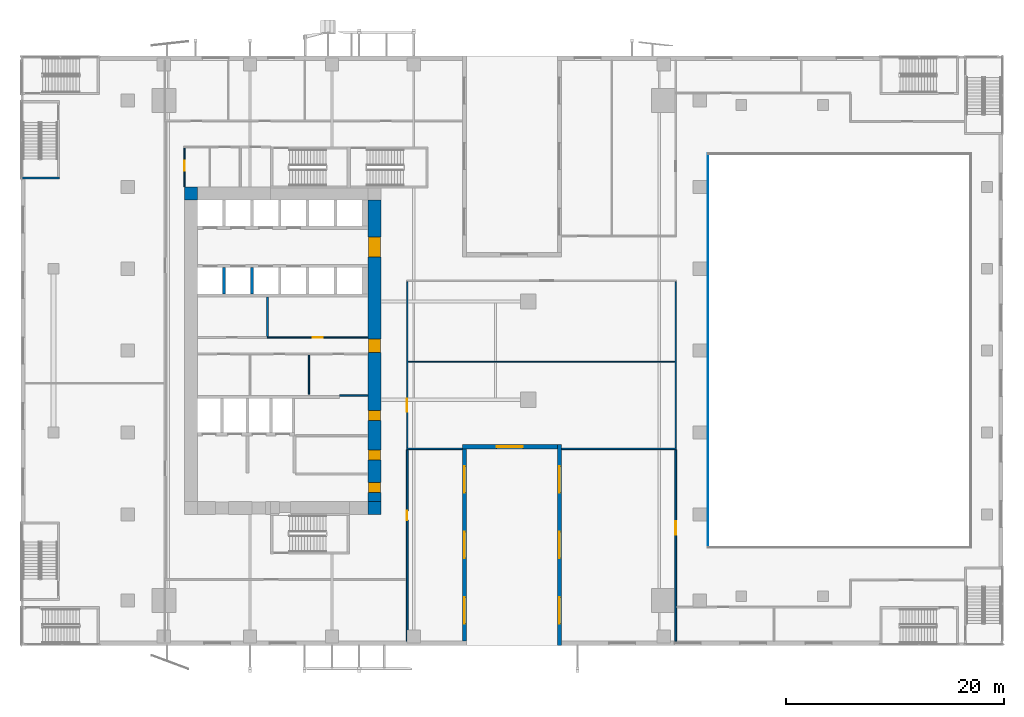
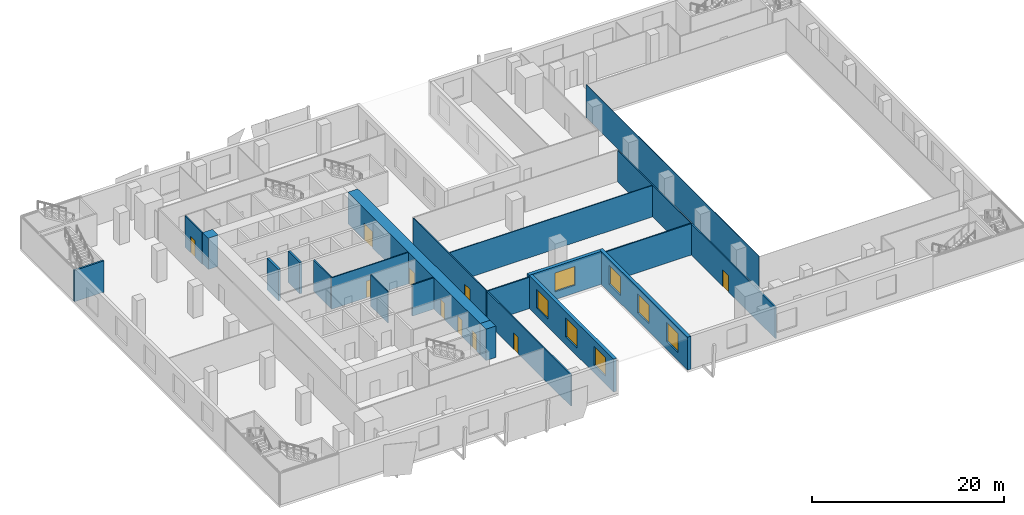
# One storey, part 11 of 21: 22 walls, 10 doors, 7 windows, 17 openings.
"""IFC4 building model written with IfcOpenShell, lengths in metres."""

from ifc_helpers import new_model, si_unit, direction, frame, frame_2d, origin, place, context, subcontext, project, spatial, rectangle, extrude, source, transform, mapped, material, layer, layer_set, type_object, element, fill, save


model = new_model("IFC4")

# Units and contexts
model_context = context("Model", 3, precision=1e-05, world=origin(), true_north=direction((0.0, 1.0)))
body_context = subcontext(model_context, "Body", "Model", "MODEL_VIEW")
ifc_project = project(units=[si_unit("LENGTHUNIT", "METRE"), si_unit("AREAUNIT", "SQUARE_METRE"), si_unit("VOLUMEUNIT", "CUBIC_METRE"), si_unit("PLANEANGLEUNIT", "RADIAN"), si_unit("MASSUNIT", "GRAM", prefix="KILO")], contexts=[model_context])

# Site, building, storey
site_placement = place(None, origin())
site = spatial("IfcSite", under=ifc_project, at=site_placement, CompositionType="ELEMENT")
building_placement = place(site_placement, origin())
building = spatial("IfcBuilding", under=site, at=building_placement, Name="Khomas Fold Tower", CompositionType="ELEMENT")
storey_placement = place(building_placement, frame((0.0, 0.0, 28.5)))
storey = spatial("IfcBuildingStorey", under=building, at=storey_placement, Name="L05", CompositionType="ELEMENT", Elevation=28.5)

# Walls
ifc_material_1 = material(Name="Concrete C70/85", Category="concrete")
ifc_layer_1 = layer(ifc_material_1, 1.199951171875)
ifc_layer_set_1 = layer_set([ifc_layer_1], Name="Concrete C70/85")
wall_type_1 = type_object("IfcWallType", Name="Core corner wall 1200", PredefinedType="SHEAR", material=ifc_layer_set_1)
shared_shape_1 = source(origin(), body_context, "Body", "SweptSolid", [
    extrude(rectangle(XDim=1.199951171875, YDim=1.199951171875, at=frame_2d((0.60009765625, 0.0))), origin(), (0.0, 0.0, 1.0), 4.0),
])
for number, where, z_axis, x_axis, name in (
    (1, (6.0, 41.39990234375, 0.0), (0.0, 0.0, 1.0), (1.0, 0.0, 0.0), "Core wall CW-L-NW-B2"),
    (2, (22.800048828125, 12.60009765625, 0.0), (0.0, 0.0, 1.0), (1.0, 0.0, 0.0), "Core wall CW-L-SE-B2"),
):
    element("IfcWall", number, at=place(storey_placement, frame(where, z_axis=z_axis, x_axis=x_axis)), inside=storey, type_object=wall_type_1, Name=name, PredefinedType="SHEAR", context=body_context, shape_type="MappedRepresentation", body=[
        mapped(shared_shape_1, transform((0.0, 0.0, 0.0))),
    ])

# Wall, openings, doors
ifc_material_2 = material(Name="Concrete C70/85", Category="concrete")
ifc_layer_2 = layer(ifc_material_2, 1.199951171875)
ifc_layer_set_2 = layer_set([ifc_layer_2], Name="Concrete C70/85")
wall_type_2 = type_object("IfcWallType", Name="Core wall 1200", PredefinedType="SHEAR", material=ifc_layer_set_2)
shared_shape_2 = source(origin(), body_context, "Body", "SweptSolid", [
    extrude(rectangle(XDim=27.60009765625, YDim=1.199951171875, at=frame_2d((13.800048828125, 0.0))), origin(), (0.0, 0.0, 1.0), 4.0),
])
wall_1_placement = place(storey_placement, frame((23.39990234375, 13.199951171875, 0.0), z_axis=(0.0, 0.0, 1.0), x_axis=(0.0, 1.0, 0.0)))
wall_1 = element("IfcWall", 3, at=wall_1_placement, inside=storey, type_object=wall_type_2, Name="Core wall CW-L-E-B2", PredefinedType="SHEAR", context=body_context, shape_type="MappedRepresentation", body=[
    mapped(shared_shape_2, transform((0.0, 0.0, 0.0))),
])
shared_shape_3 = source(origin(), body_context, "Body", "SweptSolid", [
    extrude(rectangle(XDim=1.800048828125, YDim=2.10009765625, at=frame_2d((0.89990234375, 1.050048828125))), frame((0.0, 0.60986328125, 0.0), z_axis=(0.0, -1.0, 0.0), x_axis=(1.0, 0.0, 0.0)), (0.0, 0.0, 1.0), 1.219970703125),
])
opening_1_placement = place(wall_1_placement, frame((22.39990234375, 0.0, 0.0)))
opening_1 = element("IfcOpeningElement", 4, at=opening_1_placement, cuts=wall_1, Name="Opening 0015", PredefinedType="OPENING", context=body_context, shape_type="MappedRepresentation", body=[
    mapped(shared_shape_3, transform((0.0, 0.0, 0.0))),
])
shared_shape_4 = source(origin(), body_context, "Body", "SweptSolid", [
    extrude(rectangle(XDim=1.199951171875, YDim=2.10009765625, at=frame_2d((0.60009765625, 1.050048828125))), frame((0.0, 0.60986328125, 0.0), z_axis=(0.0, -1.0, 0.0), x_axis=(1.0, 0.0, 0.0)), (0.0, 0.0, 1.0), 1.219970703125),
])
opening_2_placement = place(wall_1_placement, frame((13.64990234375, 0.0, 0.0)))
opening_2 = element("IfcOpeningElement", 5, at=opening_2_placement, cuts=wall_1, Name="Opening 0001", PredefinedType="OPENING", context=body_context, shape_type="MappedRepresentation", body=[
    mapped(shared_shape_4, transform((0.0, 0.0, 0.0))),
])
shared_shape_5 = source(origin(), body_context, "Body", "SweptSolid", [
    extrude(rectangle(XDim=0.89990234375, YDim=2.10009765625, at=frame_2d((0.449951171875, 1.050048828125))), frame((0.0, 0.60986328125, 0.0), z_axis=(0.0, -1.0, 0.0), x_axis=(1.0, 0.0, 0.0)), (0.0, 0.0, 1.0), 1.219970703125),
])
opening_3_placement = place(wall_1_placement, frame((0.800048828125, 0.0, 0.0)))
opening_3 = element("IfcOpeningElement", 6, at=opening_3_placement, cuts=wall_1, Name="Opening 0008", PredefinedType="OPENING", context=body_context, shape_type="MappedRepresentation", body=[
    mapped(shared_shape_5, transform((0.0, 0.0, 0.0))),
])
opening_4_placement = place(wall_1_placement, frame((3.800048828125, 0.0, 0.0)))
opening_4 = element("IfcOpeningElement", 7, at=opening_4_placement, cuts=wall_1, Name="Opening 0003", PredefinedType="OPENING", context=body_context, shape_type="MappedRepresentation", body=[
    mapped(shared_shape_5, transform((0.0, 0.0, 0.0))),
])
opening_5_placement = place(wall_1_placement, frame((7.39990234375, 0.0, 0.0)))
opening_5 = element("IfcOpeningElement", 8, at=opening_5_placement, cuts=wall_1, Name="Opening 0003", PredefinedType="OPENING", context=body_context, shape_type="MappedRepresentation", body=[
    mapped(shared_shape_5, transform((0.0, 0.0, 0.0))),
])
ifc_material_3 = material(Name="Timber door leaf", Category="wood")
door_type_1 = type_object("IfcDoorType", Name="Door 1200x2100 right-hand", OperationType="SINGLE_SWING_RIGHT", PredefinedType="DOOR", material=ifc_material_3)
shared_shape_6 = source(origin(), body_context, "Body", "SweptSolid", [
    extrude(rectangle(XDim=1.199951171875, YDim=2.10009765625, at=frame_2d((0.60009765625, 1.050048828125))), frame((0.0, 0.5498046875, 0.0), z_axis=(0.0, -1.0, 0.0), x_axis=(1.0, 0.0, 0.0)), (0.0, 0.0, 1.0), 1.099853515625),
])
door_1_placement = place(opening_2_placement, origin())
door_1 = element("IfcDoor", 9, at=door_1_placement, inside=storey, type_object=door_type_1, Name="Door", OperationType="SINGLE_SWING_RIGHT", OverallHeight=2.10009765625, OverallWidth=1.199951171875, PredefinedType="DOOR", context=body_context, shape_type="MappedRepresentation", body=[
    mapped(shared_shape_6, transform((0.0, 0.0, 0.0))),
])
fill(opening_2, door_1)
ifc_material_4 = material(Name="Timber door leaf", Category="wood")
door_type_2 = type_object("IfcDoorType", Name="Door 900x2100 right-hand", OperationType="SINGLE_SWING_RIGHT", PredefinedType="DOOR", material=ifc_material_4)
shared_shape_7 = source(origin(), body_context, "Body", "SweptSolid", [
    extrude(rectangle(XDim=0.89990234375, YDim=2.10009765625, at=frame_2d((0.449951171875, 1.050048828125))), frame((0.0, 0.5498046875, 0.0), z_axis=(0.0, -1.0, 0.0), x_axis=(1.0, 0.0, 0.0)), (0.0, 0.0, 1.0), 1.099853515625),
])
door_2_placement = place(opening_3_placement, origin())
door_2 = element("IfcDoor", 10, at=door_2_placement, inside=storey, type_object=door_type_2, Name="Door", OperationType="SINGLE_SWING_RIGHT", OverallHeight=2.10009765625, OverallWidth=0.89990234375, PredefinedType="DOOR", context=body_context, shape_type="MappedRepresentation", body=[
    mapped(shared_shape_7, transform((0.0, 0.0, 0.0))),
])
fill(opening_3, door_2)
ifc_material_5 = material(Name="Steel door leaf", Category="steel")
door_type_3 = type_object("IfcDoorType", Name="Plant room door 900x2100 right-hand", OperationType="SINGLE_SWING_RIGHT", PredefinedType="DOOR", material=ifc_material_5)
door_3_placement = place(opening_4_placement, origin())
door_3 = element("IfcDoor", 11, at=door_3_placement, inside=storey, type_object=door_type_3, Name="Plant room door", OperationType="SINGLE_SWING_RIGHT", OverallHeight=2.10009765625, OverallWidth=0.89990234375, PredefinedType="DOOR", context=body_context, shape_type="MappedRepresentation", body=[
    mapped(shared_shape_7, transform((0.0, 0.0, 0.0))),
])
fill(opening_4, door_3)
door_4_placement = place(opening_5_placement, origin())
door_4 = element("IfcDoor", 12, at=door_4_placement, inside=storey, type_object=door_type_3, Name="Plant room door", OperationType="SINGLE_SWING_RIGHT", OverallHeight=2.10009765625, OverallWidth=0.89990234375, PredefinedType="DOOR", context=body_context, shape_type="MappedRepresentation", body=[
    mapped(shared_shape_7, transform((0.0, 0.0, 0.0))),
])
fill(opening_5, door_4)
ifc_material_6 = material(Name="Steel door leaf", Category="steel")
door_type_4 = type_object("IfcDoorType", Name="Lobby door 1800x2100", OperationType="DOUBLE_DOOR_SINGLE_SWING", PredefinedType="DOOR", material=ifc_material_6)
shared_shape_8 = source(origin(), body_context, "Body", "SweptSolid", [
    extrude(rectangle(XDim=1.800048828125, YDim=2.10009765625, at=frame_2d((0.89990234375, 1.050048828125))), frame((0.0, 0.5498046875, 0.0), z_axis=(0.0, -1.0, 0.0), x_axis=(1.0, 0.0, 0.0)), (0.0, 0.0, 1.0), 1.099853515625),
])
door_5_placement = place(opening_1_placement, origin())
door_5 = element("IfcDoor", 13, at=door_5_placement, inside=storey, type_object=door_type_4, Name="Lobby door", OperationType="DOUBLE_DOOR_SINGLE_SWING", OverallHeight=2.10009765625, OverallWidth=1.800048828125, PredefinedType="DOOR", context=body_context, shape_type="MappedRepresentation", body=[
    mapped(shared_shape_8, transform((0.0, 0.0, 0.0))),
])
fill(opening_1, door_5)

# Walls
ifc_material_7 = material(Name="Concrete C50/60", Category="concrete")
ifc_layer_3 = layer(ifc_material_7, 0.25)
ifc_layer_set_3 = layer_set([ifc_layer_3], Name="Concrete C50/60")
wall_type_3 = type_object("IfcWallType", Name="Shaft wall 250", PredefinedType="STANDARD", material=ifc_layer_set_3)
shared_shape_9 = source(origin(), body_context, "Body", "SweptSolid", [
    extrude(rectangle(XDim=2.400146484375, YDim=0.25, at=frame_2d((1.2001953125, 0.0))), origin(), (0.0, 0.0, 1.0), 4.0),
])
for number, where, z_axis, x_axis, name in (
    (14, (9.625, 32.199951171875, 0.0), (0.0, 0.0, 1.0), (0.0, 1.0, 0.0), "Core wall SW-LRS-P1"),
    (15, (12.175048828125, 32.199951171875, 0.0), (0.0, 0.0, 1.0), (0.0, 1.0, 0.0), "Core wall SW-LRS-P2"),
):
    element("IfcWall", number, at=place(storey_placement, frame(where, z_axis=z_axis, x_axis=x_axis)), inside=storey, type_object=wall_type_3, Name=name, PredefinedType="STANDARD", context=body_context, shape_type="MappedRepresentation", body=[
        mapped(shared_shape_9, transform((0.0, 0.0, 0.0))),
    ])

# Wall, openings, windows
ifc_material_8 = material(Name="Concrete C40/50", Category="concrete")
ifc_layer_4 = layer(ifc_material_8, 0.39990234375)
ifc_layer_set_4 = layer_set([ifc_layer_4], Name="Concrete C40/50")
wall_type_4 = type_object("IfcWallType", Name="Stone-clad concrete wall 400", PredefinedType="SOLIDWALL", material=ifc_layer_set_4)
shared_shape_10 = source(origin(), body_context, "Body", "SweptSolid", [
    extrude(rectangle(XDim=17.60009765625, YDim=0.39990234375, at=frame_2d((8.800048828125, 0.0))), origin(), (0.0, 0.0, 1.0), 4.199951171875),
])
wall_2_placement = place(storey_placement, frame((31.64990234375, 0.39990234375, 0.0), z_axis=(0.0, 0.0, 1.0), x_axis=(0.0, 1.0, 0.0)))
wall_2 = element("IfcWall", 16, at=wall_2_placement, inside=storey, type_object=wall_type_4, Name="Podium wall", PredefinedType="SOLIDWALL", context=body_context, shape_type="MappedRepresentation", body=[
    mapped(shared_shape_10, transform((0.0, 0.0, 0.0))),
])
shared_shape_11 = source(origin(), body_context, "Body", "SweptSolid", [
    extrude(rectangle(XDim=2.39990234375, YDim=2.39990234375, at=frame_2d((1.199951171875, 1.199951171875))), frame((0.0, 0.2099609375, 0.0), z_axis=(0.0, -1.0, 0.0), x_axis=(1.0, 0.0, 0.0)), (0.0, 0.0, 1.0), 0.419921875),
])
opening_6_placement = place(wall_2_placement, frame((1.60009765625, 0.0, 1.0)))
opening_6 = element("IfcOpeningElement", 17, at=opening_6_placement, cuts=wall_2, Name="Opening PD-WN", PredefinedType="OPENING", context=body_context, shape_type="MappedRepresentation", body=[
    mapped(shared_shape_11, transform((0.0, 0.0, 0.0))),
])
opening_7_placement = place(wall_2_placement, frame((7.60009765625, 0.0, 1.0)))
opening_7 = element("IfcOpeningElement", 18, at=opening_7_placement, cuts=wall_2, Name="Opening PD-WN", PredefinedType="OPENING", context=body_context, shape_type="MappedRepresentation", body=[
    mapped(shared_shape_11, transform((0.0, 0.0, 0.0))),
])
opening_8_placement = place(wall_2_placement, frame((13.60009765625, 0.0, 1.0)))
opening_8 = element("IfcOpeningElement", 19, at=opening_8_placement, cuts=wall_2, Name="Opening PD-WN", PredefinedType="OPENING", context=body_context, shape_type="MappedRepresentation", body=[
    mapped(shared_shape_11, transform((0.0, 0.0, 0.0))),
])
ifc_material_9 = material(Name="Aluminium framed double glazing", Category="aluminium")
window_type = type_object("IfcWindowType", Name="Podium window 2400 x 2400", PartitioningType="SINGLE_PANEL", PredefinedType="WINDOW", material=ifc_material_9)
shared_shape_12 = source(origin(), body_context, "Body", "SweptSolid", [
    extrude(rectangle(XDim=2.39990234375, YDim=2.39990234375, at=frame_2d((1.199951171875, 1.199951171875))), frame((0.0, 0.030029296875, 0.0), z_axis=(0.0, -1.0, 0.0), x_axis=(1.0, 0.0, 0.0)), (0.0, 0.0, 1.0), 0.06005859375),
])
window_1_placement = place(opening_6_placement, origin())
window_1 = element("IfcWindow", 20, at=window_1_placement, inside=storey, type_object=window_type, Name="Podium window", OverallHeight=2.39990234375, OverallWidth=2.39990234375, PartitioningType="SINGLE_PANEL", PredefinedType="WINDOW", context=body_context, shape_type="MappedRepresentation", body=[
    mapped(shared_shape_12, transform((0.0, 0.0, 0.0))),
])
fill(opening_6, window_1)
window_2_placement = place(opening_7_placement, origin())
window_2 = element("IfcWindow", 21, at=window_2_placement, inside=storey, type_object=window_type, Name="Podium window", OverallHeight=2.39990234375, OverallWidth=2.39990234375, PartitioningType="SINGLE_PANEL", PredefinedType="WINDOW", context=body_context, shape_type="MappedRepresentation", body=[
    mapped(shared_shape_12, transform((0.0, 0.0, 0.0))),
])
fill(opening_7, window_2)
window_3_placement = place(opening_8_placement, origin())
window_3 = element("IfcWindow", 22, at=window_3_placement, inside=storey, type_object=window_type, Name="Podium window", OverallHeight=2.39990234375, OverallWidth=2.39990234375, PartitioningType="SINGLE_PANEL", PredefinedType="WINDOW", context=body_context, shape_type="MappedRepresentation", body=[
    mapped(shared_shape_12, transform((0.0, 0.0, 0.0))),
])
fill(opening_8, window_3)

# Wall, opening, window
shared_shape_13 = source(origin(), body_context, "Body", "SweptSolid", [
    extrude(rectangle(XDim=8.699951171875, YDim=0.39990234375, at=frame_2d((4.35009765625, 0.0))), origin(), (0.0, 0.0, 1.0), 4.199951171875),
])
wall_3_placement = place(storey_placement, frame((31.449951171875, 18.199951171875, 0.0), z_axis=(0.0, 0.0, 1.0), x_axis=(1.0, 0.0, 0.0)))
wall_3 = element("IfcWall", 23, at=wall_3_placement, inside=storey, type_object=wall_type_4, Name="Podium wall", PredefinedType="SOLIDWALL", context=body_context, shape_type="MappedRepresentation", body=[
    mapped(shared_shape_13, transform((0.0, 0.0, 0.0))),
])
opening_9_placement = place(wall_3_placement, frame((3.14990234375, 0.0, 1.0)))
opening_9 = element("IfcOpeningElement", 24, at=opening_9_placement, cuts=wall_3, Name="Opening PD-WN", PredefinedType="OPENING", context=body_context, shape_type="MappedRepresentation", body=[
    mapped(shared_shape_11, transform((0.0, 0.0, 0.0))),
])
window_4_placement = place(opening_9_placement, origin())
window_4 = element("IfcWindow", 25, at=window_4_placement, inside=storey, type_object=window_type, Name="Podium window", OverallHeight=2.39990234375, OverallWidth=2.39990234375, PartitioningType="SINGLE_PANEL", PredefinedType="WINDOW", context=body_context, shape_type="MappedRepresentation", body=[
    mapped(shared_shape_12, transform((0.0, 0.0, 0.0))),
])
fill(opening_9, window_4)

# Wall, openings, windows
shared_shape_14 = source(origin(), body_context, "Body", "SweptSolid", [
    extrude(rectangle(XDim=18.39990234375, YDim=0.39990234375, at=frame_2d((9.199951171875, 0.0))), origin(), (0.0, 0.0, 1.0), 4.199951171875),
])
wall_4_placement = place(storey_placement, frame((40.35009765625, 18.39990234375, 0.0), z_axis=(0.0, 0.0, 1.0), x_axis=(0.0, -1.0, 0.0)))
wall_4 = element("IfcWall", 26, at=wall_4_placement, inside=storey, type_object=wall_type_4, Name="Podium wall", PredefinedType="SOLIDWALL", context=body_context, shape_type="MappedRepresentation", body=[
    mapped(shared_shape_14, transform((0.0, 0.0, 0.0))),
])
opening_10_placement = place(wall_4_placement, frame((2.0, 0.0, 1.0)))
opening_10 = element("IfcOpeningElement", 27, at=opening_10_placement, cuts=wall_4, Name="Opening PD-WN", PredefinedType="OPENING", context=body_context, shape_type="MappedRepresentation", body=[
    mapped(shared_shape_11, transform((0.0, 0.0, 0.0))),
])
opening_11_placement = place(wall_4_placement, frame((8.0, 0.0, 1.0)))
opening_11 = element("IfcOpeningElement", 28, at=opening_11_placement, cuts=wall_4, Name="Opening PD-WN", PredefinedType="OPENING", context=body_context, shape_type="MappedRepresentation", body=[
    mapped(shared_shape_11, transform((0.0, 0.0, 0.0))),
])
opening_12_placement = place(wall_4_placement, frame((14.0, 0.0, 1.0)))
opening_12 = element("IfcOpeningElement", 29, at=opening_12_placement, cuts=wall_4, Name="Opening PD-WN", PredefinedType="OPENING", context=body_context, shape_type="MappedRepresentation", body=[
    mapped(shared_shape_11, transform((0.0, 0.0, 0.0))),
])
window_5_placement = place(opening_10_placement, origin())
window_5 = element("IfcWindow", 30, at=window_5_placement, inside=storey, type_object=window_type, Name="Podium window", OverallHeight=2.39990234375, OverallWidth=2.39990234375, PartitioningType="SINGLE_PANEL", PredefinedType="WINDOW", context=body_context, shape_type="MappedRepresentation", body=[
    mapped(shared_shape_12, transform((0.0, 0.0, 0.0))),
])
fill(opening_10, window_5)
window_6_placement = place(opening_11_placement, origin())
window_6 = element("IfcWindow", 31, at=window_6_placement, inside=storey, type_object=window_type, Name="Podium window", OverallHeight=2.39990234375, OverallWidth=2.39990234375, PartitioningType="SINGLE_PANEL", PredefinedType="WINDOW", context=body_context, shape_type="MappedRepresentation", body=[
    mapped(shared_shape_12, transform((0.0, 0.0, 0.0))),
])
fill(opening_11, window_6)
window_7_placement = place(opening_12_placement, origin())
window_7 = element("IfcWindow", 32, at=window_7_placement, inside=storey, type_object=window_type, Name="Podium window", OverallHeight=2.39990234375, OverallWidth=2.39990234375, PartitioningType="SINGLE_PANEL", PredefinedType="WINDOW", context=body_context, shape_type="MappedRepresentation", body=[
    mapped(shared_shape_12, transform((0.0, 0.0, 0.0))),
])
fill(opening_12, window_7)

# Walls
ifc_material_10 = material(Name="Fire-resistant glazing in Steel S355 frame", Category="steel")
ifc_layer_5 = layer(ifc_material_10, 0.06005859375)
ifc_layer_set_5 = layer_set([ifc_layer_5], Name="Fire-resistant glazing in Steel S355 frame")
wall_type_5 = type_object("IfcWallType", Name="Atrium fire screen 60", PredefinedType="STANDARD", material=ifc_layer_set_5)
shared_shape_15 = source(origin(), body_context, "Body", "SweptSolid", [
    extrude(rectangle(XDim=36.06005859375, YDim=0.06005859375, at=frame_2d((18.030029296875, 0.0))), origin(), (0.0, 0.0, 1.0), 4.199951171875),
])
wall_5_placement = place(storey_placement, frame((53.969970703125, 45.06005859375, 0.0), z_axis=(0.0, 0.0, 1.0), x_axis=(0.0, -1.0, 0.0)))
element("IfcWall", 33, at=wall_5_placement, inside=storey, type_object=wall_type_5, Name="Atrium screen", PredefinedType="SOLIDWALL", context=body_context, shape_type="MappedRepresentation", body=[
    mapped(shared_shape_15, transform((0.0, 0.0, 0.0))),
])
ifc_material_11 = material(Name="Concrete C30/37", Category="concrete")
ifc_layer_6 = layer(ifc_material_11, 0.199951171875)
ifc_layer_set_6 = layer_set([ifc_layer_6], Name="Concrete C30/37")
wall_type_6 = type_object("IfcWallType", Name="Stair wall PW5 200", PredefinedType="PARTITIONING", material=ifc_layer_set_6)
shared_shape_16 = source(origin(), body_context, "Body", "SweptSolid", [
    extrude(rectangle(XDim=3.550048828125, YDim=0.199951171875, at=frame_2d((1.77490234375, 0.0))), origin(), (0.0, 0.0, 1.0), 4.0),
])
wall_6_placement = place(storey_placement, frame((-9.0, 42.800048828125, 0.0), z_axis=(0.0, 0.0, 1.0), x_axis=(1.0, 0.0, 0.0)))
element("IfcWall", 34, at=wall_6_placement, inside=storey, type_object=wall_type_6, Name="Stair wall", PredefinedType="PARTITIONING", context=body_context, shape_type="MappedRepresentation", body=[
    mapped(shared_shape_16, transform((0.0, 0.0, 0.0))),
])

# Wall, opening, door
ifc_material_12 = material(Name="Plasterboard fire partition")
ifc_layer_7 = layer(ifc_material_12, 0.14990234375)
ifc_layer_set_7 = layer_set([ifc_layer_7], Name="Plasterboard fire partition")
wall_type_7 = type_object("IfcWallType", Name="Plant room wall PW3 150", PredefinedType="PARTITIONING", material=ifc_layer_set_7)
shared_shape_17 = source(origin(), body_context, "Body", "SweptSolid", [
    extrude(rectangle(XDim=17.5, YDim=0.14990234375, at=frame_2d((8.75, 0.0))), origin(), (0.0, 0.0, 1.0), 4.0),
])
wall_7_placement = place(storey_placement, frame((26.39990234375, 0.39990234375, 0.0), z_axis=(0.0, 0.0, 1.0), x_axis=(0.0, 1.0, 0.0)))
wall_7 = element("IfcWall", 35, at=wall_7_placement, inside=storey, type_object=wall_type_7, Name="Plant room wall", PredefinedType="PARTITIONING", context=body_context, shape_type="MappedRepresentation", body=[
    mapped(shared_shape_17, transform((0.0, 0.0, 0.0))),
])
shared_shape_18 = source(origin(), body_context, "Body", "SweptSolid", [
    extrude(rectangle(XDim=0.89990234375, YDim=2.10009765625, at=frame_2d((0.449951171875, 1.050048828125))), frame((0.0, 0.0849609375, 0.0), z_axis=(0.0, -1.0, 0.0), x_axis=(1.0, 0.0, 0.0)), (0.0, 0.0, 1.0), 0.169921875),
])
opening_13_placement = place(wall_7_placement, frame((11.050048828125, 0.0, 0.0)))
opening_13 = element("IfcOpeningElement", 36, at=opening_13_placement, cuts=wall_7, Name="Opening 0002", PredefinedType="OPENING", context=body_context, shape_type="MappedRepresentation", body=[
    mapped(shared_shape_18, transform((0.0, 0.0, 0.0))),
])
ifc_material_13 = material(Name="Steel door leaf", Category="steel")
door_type_5 = type_object("IfcDoorType", Name="Plant room door 900x2100 left-hand", OperationType="SINGLE_SWING_LEFT", PredefinedType="DOOR", material=ifc_material_13)
shared_shape_19 = source(origin(), body_context, "Body", "SweptSolid", [
    extrude(rectangle(XDim=0.89990234375, YDim=2.10009765625, at=frame_2d((0.449951171875, 1.050048828125))), frame((0.0, 0.02490234375, 0.0), z_axis=(0.0, -1.0, 0.0), x_axis=(1.0, 0.0, 0.0)), (0.0, 0.0, 1.0), 0.050048828125),
])
door_6_placement = place(opening_13_placement, origin())
door_6 = element("IfcDoor", 37, at=door_6_placement, inside=storey, type_object=door_type_5, Name="Plant room door", OperationType="SINGLE_SWING_LEFT", OverallHeight=2.10009765625, OverallWidth=0.89990234375, PredefinedType="DOOR", context=body_context, shape_type="MappedRepresentation", body=[
    mapped(shared_shape_19, transform((0.0, 0.0, 0.0))),
])
fill(opening_13, door_6)

wall_8_placement = place(storey_placement, frame((51.0, 0.39990234375, 0.0), z_axis=(0.0, 0.0, 1.0), x_axis=(0.0, 1.0, 0.0)))
wall_8 = element("IfcWall", 38, at=wall_8_placement, inside=storey, type_object=wall_type_7, Name="Plant room wall", PredefinedType="PARTITIONING", context=body_context, shape_type="MappedRepresentation", body=[
    mapped(shared_shape_17, transform((0.0, 0.0, 0.0))),
])
shared_shape_20 = source(origin(), body_context, "Body", "SweptSolid", [
    extrude(rectangle(XDim=1.199951171875, YDim=2.10009765625, at=frame_2d((0.60009765625, 1.050048828125))), frame((0.0, 0.0849609375, 0.0), z_axis=(0.0, -1.0, 0.0), x_axis=(1.0, 0.0, 0.0)), (0.0, 0.0, 1.0), 0.169921875),
])
opening_14_placement = place(wall_8_placement, frame((9.75, 0.0, 0.0)))
opening_14 = element("IfcOpeningElement", 39, at=opening_14_placement, cuts=wall_8, Name="Opening 0012", PredefinedType="OPENING", context=body_context, shape_type="MappedRepresentation", body=[
    mapped(shared_shape_20, transform((0.0, 0.0, 0.0))),
])
ifc_material_14 = material(Name="Steel door leaf", Category="steel")
door_type_6 = type_object("IfcDoorType", Name="Plant room door 1200x2100 left-hand", OperationType="SINGLE_SWING_LEFT", PredefinedType="DOOR", material=ifc_material_14)
shared_shape_21 = source(origin(), body_context, "Body", "SweptSolid", [
    extrude(rectangle(XDim=1.199951171875, YDim=2.10009765625, at=frame_2d((0.60009765625, 1.050048828125))), frame((0.0, 0.02490234375, 0.0), z_axis=(0.0, -1.0, 0.0), x_axis=(1.0, 0.0, 0.0)), (0.0, 0.0, 1.0), 0.050048828125),
])
door_7_placement = place(opening_14_placement, origin())
door_7 = element("IfcDoor", 40, at=door_7_placement, inside=storey, type_object=door_type_6, Name="Plant room door", OperationType="SINGLE_SWING_LEFT", OverallHeight=2.10009765625, OverallWidth=1.199951171875, PredefinedType="DOOR", context=body_context, shape_type="MappedRepresentation", body=[
    mapped(shared_shape_21, transform((0.0, 0.0, 0.0))),
])
fill(opening_14, door_7)

# Walls
shared_shape_22 = source(origin(), body_context, "Body", "SweptSolid", [
    extrude(rectangle(XDim=5.099853515625, YDim=0.14990234375, at=frame_2d((2.5498046875, 0.0))), origin(), (0.0, 0.0, 1.0), 4.0),
])
wall_9_placement = place(storey_placement, frame((26.35009765625, 18.0, 0.0), z_axis=(0.0, 0.0, 1.0), x_axis=(1.0, 0.0, 0.0)))
element("IfcWall", 41, at=wall_9_placement, inside=storey, type_object=wall_type_7, Name="Plant room wall", PredefinedType="PARTITIONING", context=body_context, shape_type="MappedRepresentation", body=[
    mapped(shared_shape_22, transform((0.0, 0.0, 0.0))),
])
shared_shape_23 = source(origin(), body_context, "Body", "SweptSolid", [
    extrude(rectangle(XDim=10.5, YDim=0.14990234375, at=frame_2d((5.25, 0.0))), origin(), (0.0, 0.0, 1.0), 4.0),
])
wall_10_placement = place(storey_placement, frame((40.550048828125, 18.0, 0.0), z_axis=(0.0, 0.0, 1.0), x_axis=(1.0, 0.0, 0.0)))
element("IfcWall", 42, at=wall_10_placement, inside=storey, type_object=wall_type_7, Name="Plant room wall", PredefinedType="PARTITIONING", context=body_context, shape_type="MappedRepresentation", body=[
    mapped(shared_shape_23, transform((0.0, 0.0, 0.0))),
])

# Wall, opening, door
ifc_material_15 = material(Name="Plasterboard partition")
ifc_layer_8 = layer(ifc_material_15, 0.125)
ifc_layer_set_8 = layer_set([ifc_layer_8], Name="Plasterboard partition")
wall_type_8 = type_object("IfcWallType", Name="Partition PW2 125", PredefinedType="PARTITIONING", material=ifc_layer_set_8)
shared_shape_24 = source(origin(), body_context, "Body", "SweptSolid", [
    extrude(rectangle(XDim=15.199951171875, YDim=0.125, at=frame_2d((7.60009765625, 0.0))), origin(), (0.0, 0.0, 1.0), 4.0),
])
wall_11_placement = place(storey_placement, frame((26.39990234375, 18.10009765625, 0.0), z_axis=(0.0, 0.0, 1.0), x_axis=(0.0, 1.0, 0.0)))
wall_11 = element("IfcWall", 43, at=wall_11_placement, inside=storey, type_object=wall_type_8, Name="Partition", PredefinedType="PARTITIONING", context=body_context, shape_type="MappedRepresentation", body=[
    mapped(shared_shape_24, transform((0.0, 0.0, 0.0))),
])
shared_shape_25 = source(origin(), body_context, "Body", "SweptSolid", [
    extrude(rectangle(XDim=1.199951171875, YDim=2.10009765625, at=frame_2d((0.60009765625, 1.050048828125))), frame((0.0, 0.072509765625, 0.0), z_axis=(0.0, -1.0, 0.0), x_axis=(1.0, 0.0, 0.0)), (0.0, 0.0, 1.0), 0.14501953125),
])
opening_15_placement = place(wall_11_placement, frame((3.300048828125, 0.0, 0.0)))
opening_15 = element("IfcOpeningElement", 44, at=opening_15_placement, cuts=wall_11, Name="Opening 0013", PredefinedType="OPENING", context=body_context, shape_type="MappedRepresentation", body=[
    mapped(shared_shape_25, transform((0.0, 0.0, 0.0))),
])
ifc_material_16 = material(Name="Timber door leaf", Category="wood")
door_type_7 = type_object("IfcDoorType", Name="Door 1200x2100 left-hand", OperationType="SINGLE_SWING_LEFT", PredefinedType="DOOR", material=ifc_material_16)
door_8_placement = place(opening_15_placement, origin())
door_8 = element("IfcDoor", 45, at=door_8_placement, inside=storey, type_object=door_type_7, Name="Door", OperationType="SINGLE_SWING_LEFT", OverallHeight=2.10009765625, OverallWidth=1.199951171875, PredefinedType="DOOR", context=body_context, shape_type="MappedRepresentation", body=[
    mapped(shared_shape_21, transform((0.0, 0.0, 0.0))),
])
fill(opening_15, door_8)

# Walls
wall_12_placement = place(storey_placement, frame((51.0, 18.10009765625, 0.0), z_axis=(0.0, 0.0, 1.0), x_axis=(0.0, 1.0, 0.0)))
element("IfcWall", 46, at=wall_12_placement, inside=storey, type_object=wall_type_8, Name="Partition", PredefinedType="PARTITIONING", context=body_context, shape_type="MappedRepresentation", body=[
    mapped(shared_shape_24, transform((0.0, 0.0, 0.0))),
])
shared_shape_26 = source(origin(), body_context, "Body", "SweptSolid", [
    extrude(rectangle(XDim=2.60009765625, YDim=0.14990234375, at=frame_2d((1.300048828125, 0.0))), origin(), (0.0, 0.0, 1.0), 4.0),
])
wall_13_placement = place(storey_placement, frame((20.199951171875, 22.89990234375, 0.0), z_axis=(0.0, 0.0, 1.0), x_axis=(1.0, 0.0, 0.0)))
element("IfcWall", 47, at=wall_13_placement, inside=storey, type_object=wall_type_7, Name="Plant room wall", PredefinedType="PARTITIONING", context=body_context, shape_type="MappedRepresentation", body=[
    mapped(shared_shape_26, transform((0.0, 0.0, 0.0))),
])
ifc_material_17 = material(Name="Plasterboard partition")
ifc_layer_9 = layer(ifc_material_17, 0.10009765625)
ifc_layer_set_9 = layer_set([ifc_layer_9], Name="Plasterboard partition")
wall_type_9 = type_object("IfcWallType", Name="Partition PW1 100", PredefinedType="PARTITIONING", material=ifc_layer_set_9)
shared_shape_27 = source(origin(), body_context, "Body", "SweptSolid", [
    extrude(rectangle(XDim=3.60009765625, YDim=0.10009765625, at=frame_2d((1.800048828125, 0.0))), origin(), (0.0, 0.0, 1.0), 4.0),
])
wall_14_placement = place(storey_placement, frame((17.39990234375, 23.0, 0.0), z_axis=(0.0, 0.0, 1.0), x_axis=(0.0, 1.0, 0.0)))
element("IfcWall", 48, at=wall_14_placement, inside=storey, type_object=wall_type_9, Name="Partition", PredefinedType="PARTITIONING", context=body_context, shape_type="MappedRepresentation", body=[
    mapped(shared_shape_27, transform((0.0, 0.0, 0.0))),
])
shared_shape_28 = source(origin(), body_context, "Body", "SweptSolid", [
    extrude(rectangle(XDim=24.39990234375, YDim=0.10009765625, at=frame_2d((12.199951171875, 0.0))), origin(), (0.0, 0.0, 1.0), 4.0),
])
wall_15_placement = place(storey_placement, frame((26.5, 26.0, 0.0), z_axis=(0.0, 0.0, 1.0), x_axis=(1.0, 0.0, 0.0)))
element("IfcWall", 49, at=wall_15_placement, inside=storey, type_object=wall_type_9, Name="Partition", PredefinedType="PARTITIONING", context=body_context, shape_type="MappedRepresentation", body=[
    mapped(shared_shape_28, transform((0.0, 0.0, 0.0))),
])

# Wall, opening, door
shared_shape_29 = source(origin(), body_context, "Body", "SweptSolid", [
    extrude(rectangle(XDim=9.25, YDim=0.125, at=frame_2d((4.625, 0.0))), origin(), (0.0, 0.0, 1.0), 4.0),
])
wall_16_placement = place(storey_placement, frame((13.550048828125, 28.199951171875, 0.0), z_axis=(0.0, 0.0, 1.0), x_axis=(1.0, 0.0, 0.0)))
wall_16 = element("IfcWall", 50, at=wall_16_placement, inside=storey, type_object=wall_type_8, Name="Partition", PredefinedType="PARTITIONING", context=body_context, shape_type="MappedRepresentation", body=[
    mapped(shared_shape_29, transform((0.0, 0.0, 0.0))),
])
shared_shape_30 = source(origin(), body_context, "Body", "SweptSolid", [
    extrude(rectangle(XDim=0.89990234375, YDim=2.10009765625, at=frame_2d((0.449951171875, 1.050048828125))), frame((0.0, 0.072509765625, 0.0), z_axis=(0.0, -1.0, 0.0), x_axis=(1.0, 0.0, 0.0)), (0.0, 0.0, 1.0), 0.14501953125),
])
opening_16_placement = place(wall_16_placement, frame((4.199951171875, 0.0, 0.0)))
opening_16 = element("IfcOpeningElement", 51, at=opening_16_placement, cuts=wall_16, Name="Opening 0007", PredefinedType="OPENING", context=body_context, shape_type="MappedRepresentation", body=[
    mapped(shared_shape_30, transform((0.0, 0.0, 0.0))),
])
ifc_material_18 = material(Name="Timber door leaf", Category="wood")
door_type_8 = type_object("IfcDoorType", Name="Door 900x2100 left-hand", OperationType="SINGLE_SWING_LEFT", PredefinedType="DOOR", material=ifc_material_18)
door_9_placement = place(opening_16_placement, origin())
door_9 = element("IfcDoor", 52, at=door_9_placement, inside=storey, type_object=door_type_8, Name="Door", OperationType="SINGLE_SWING_LEFT", OverallHeight=2.10009765625, OverallWidth=0.89990234375, PredefinedType="DOOR", context=body_context, shape_type="MappedRepresentation", body=[
    mapped(shared_shape_19, transform((0.0, 0.0, 0.0))),
])
fill(opening_16, door_9)

# Wall
shared_shape_31 = source(origin(), body_context, "Body", "SweptSolid", [
    extrude(rectangle(XDim=3.599853515625, YDim=0.14990234375, at=frame_2d((1.7998046875, 0.0))), origin(), (0.0, 0.0, 1.0), 4.0),
])
wall_17_placement = place(storey_placement, frame((13.60009765625, 28.300048828125, 0.0), z_axis=(0.0, 0.0, 1.0), x_axis=(0.0, 1.0, 0.0)))
element("IfcWall", 53, at=wall_17_placement, inside=storey, type_object=wall_type_7, Name="Plant room wall", PredefinedType="PARTITIONING", context=body_context, shape_type="MappedRepresentation", body=[
    mapped(shared_shape_31, transform((0.0, 0.0, 0.0))),
])

# Wall, opening, door
shared_shape_32 = source(origin(), body_context, "Body", "SweptSolid", [
    extrude(rectangle(XDim=3.550048828125, YDim=0.125, at=frame_2d((1.77490234375, 0.0))), origin(), (0.0, 0.0, 1.0), 4.0),
])
wall_18_placement = place(storey_placement, frame((6.0, 42.0, 0.0), z_axis=(0.0, 0.0, 1.0), x_axis=(0.0, 1.0, 0.0)))
wall_18 = element("IfcWall", 54, at=wall_18_placement, inside=storey, type_object=wall_type_8, Name="Partition", PredefinedType="PARTITIONING", context=body_context, shape_type="MappedRepresentation", body=[
    mapped(shared_shape_32, transform((0.0, 0.0, 0.0))),
])
opening_17_placement = place(wall_18_placement, frame((1.5, 0.0, 0.0)))
opening_17 = element("IfcOpeningElement", 55, at=opening_17_placement, cuts=wall_18, Name="Opening 0008", PredefinedType="OPENING", context=body_context, shape_type="MappedRepresentation", body=[
    mapped(shared_shape_30, transform((0.0, 0.0, 0.0))),
])
door_10_placement = place(opening_17_placement, origin())
door_10 = element("IfcDoor", 56, at=door_10_placement, inside=storey, type_object=door_type_2, Name="Door", OperationType="SINGLE_SWING_RIGHT", OverallHeight=2.10009765625, OverallWidth=0.89990234375, PredefinedType="DOOR", context=body_context, shape_type="MappedRepresentation", body=[
    mapped(shared_shape_19, transform((0.0, 0.0, 0.0))),
])
fill(opening_17, door_10)

save(model, "model.ifc")
